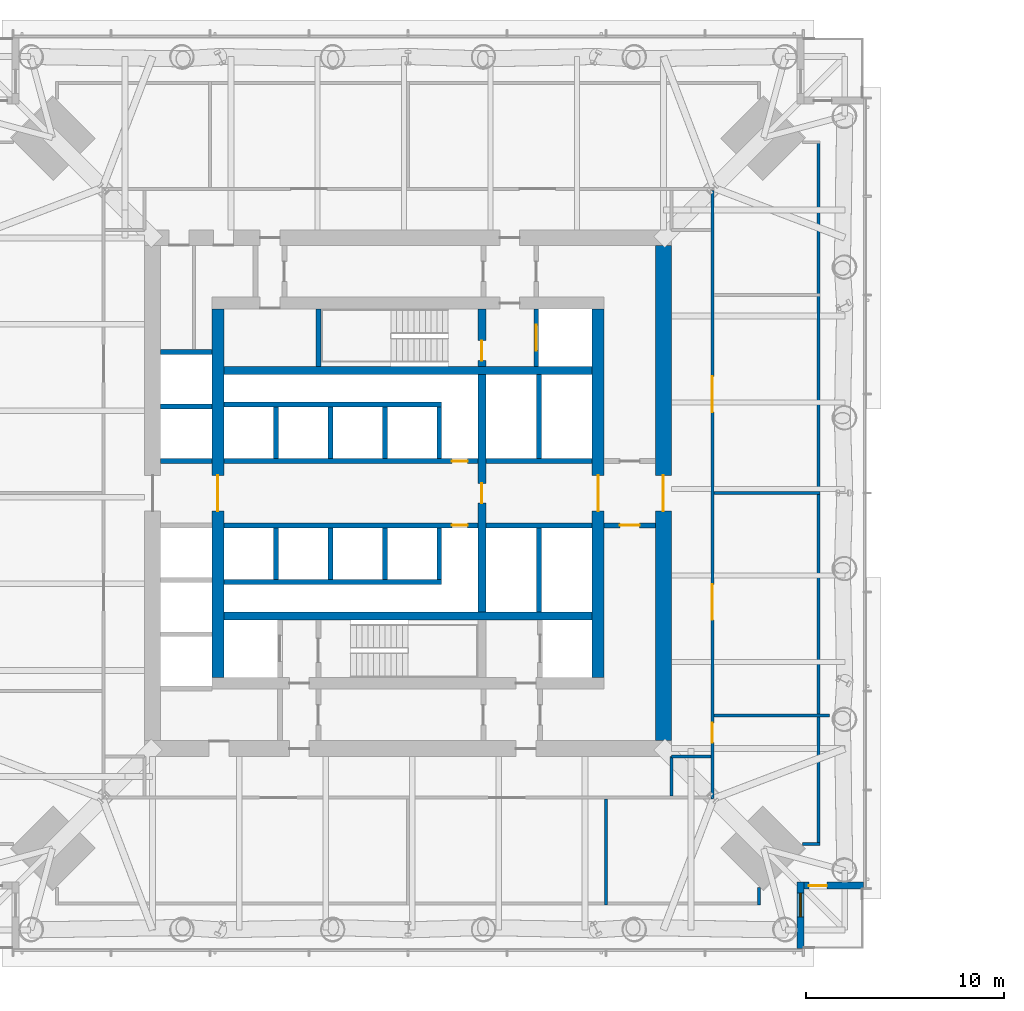
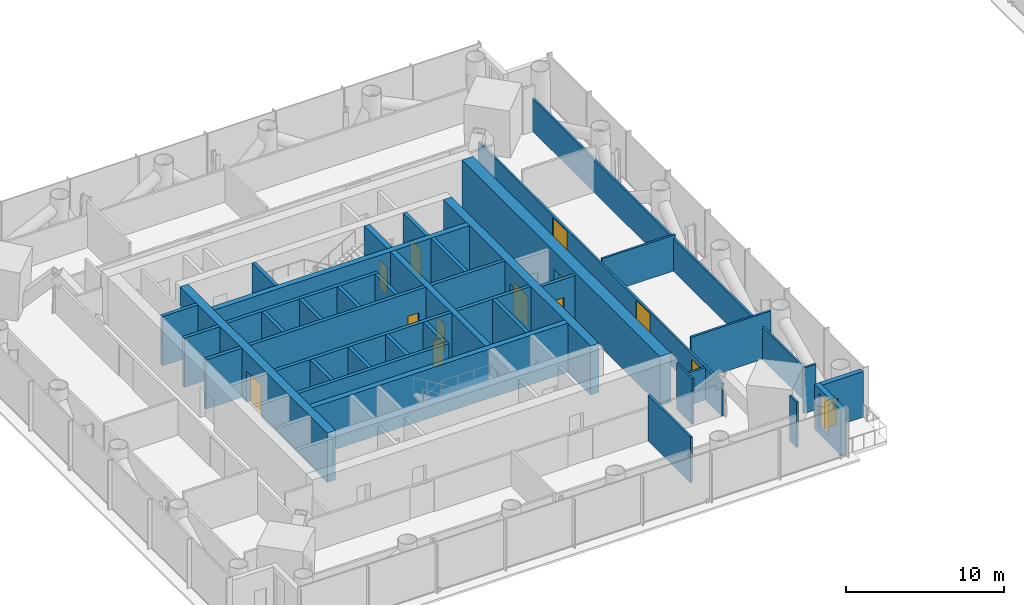
# One storey, part 11 of 28: 40 walls, 13 doors, 1 window, 14 openings.
"""IFC4 building model written with IfcOpenShell, lengths in metres."""

from ifc_helpers import new_model, si_unit, direction, frame, frame_2d, origin, place, context, subcontext, project, spatial, rectangle, extrude, material, layer, layer_set, type_object, element, fill, save


model = new_model("IFC4")

# Units and contexts
model_context = context("Model", 3, precision=1e-05, world=origin(), true_north=direction((0.0, 1.0)))
body_context = subcontext(model_context, "Body", "Model", "MODEL_VIEW")
ifc_project = project(units=[si_unit("LENGTHUNIT", "METRE"), si_unit("AREAUNIT", "SQUARE_METRE"), si_unit("VOLUMEUNIT", "CUBIC_METRE"), si_unit("PLANEANGLEUNIT", "RADIAN"), si_unit("MASSUNIT", "GRAM", prefix="KILO")], contexts=[model_context])

# Site, building, storey
site_placement = place(None, origin())
site = spatial("IfcSite", under=ifc_project, at=site_placement, CompositionType="ELEMENT")
building_placement = place(site_placement, origin())
building = spatial("IfcBuilding", under=site, at=building_placement, Name="Ostroluk Exchange", CompositionType="ELEMENT")
storey_placement = place(building_placement, frame((0.0, 0.0, 81.800048828125)))
storey = spatial("IfcBuildingStorey", under=building, at=storey_placement, Name="L20", CompositionType="ELEMENT", Elevation=81.800048828125)

# Walls
ifc_material_1 = material(Name="Concrete blockwork", Category="masonry")
ifc_layer_1 = layer(ifc_material_1, 0.14990234375)
ifc_layer_set_1 = layer_set([ifc_layer_1], Name="Blockwork plant room wall 150")
wall_type_1 = type_object("IfcWallType", Name="Blockwork plant room wall 150", PredefinedType="SOLIDWALL", material=ifc_layer_set_1)
wall_1_placement = place(storey_placement, frame((60.449951171875, 34.77490234375, 0.0), z_axis=(0.0, 0.0, 1.0), x_axis=(1.0, 0.0, 0.0)))
element("IfcWall", 1, at=wall_1_placement, inside=storey, type_object=wall_type_1, Name="Plant room wall", PredefinedType="SOLIDWALL", context=body_context, shape_type="SweptSolid", body=[
    extrude(rectangle(XDim=5.830078125, YDim=0.14990234375, at=frame_2d((2.9150390625, 0.0))), origin(), (0.0, 0.0, 1.0), 3.52001953125),
])
wall_2_placement = place(storey_placement, frame((60.449951171875, 46.0, 0.0), z_axis=(0.0, 0.0, 1.0), x_axis=(1.0, 0.0, 0.0)))
element("IfcWall", 2, at=wall_2_placement, inside=storey, type_object=wall_type_1, Name="Plant room wall", PredefinedType="SOLIDWALL", context=body_context, shape_type="SweptSolid", body=[
    extrude(rectangle(XDim=5.35009765625, YDim=0.14990234375, at=frame_2d((2.675048828125, 0.0))), origin(), (0.0, 0.0, 1.0), 2.758056640625),
])

# Wall, openings, doors
wall_3_placement = place(storey_placement, frame((60.375, 30.550048828125, 0.0), z_axis=(0.0, 0.0, 1.0), x_axis=(0.0, 1.0, 0.0)))
wall_3 = element("IfcWall", 3, at=wall_3_placement, inside=storey, type_object=wall_type_1, Name="Plant room wall", PredefinedType="SOLIDWALL", context=body_context, shape_type="SweptSolid", body=[
    extrude(rectangle(XDim=30.75, YDim=0.14990234375, at=frame_2d((15.375, 0.0))), origin(), (0.0, 0.0, 1.0), 2.511962890625),
])
opening_1_placement = place(wall_3_placement, frame((2.85009765625, 0.0, 0.0)))
opening_1 = element("IfcOpeningElement", 4, at=opening_1_placement, cuts=wall_3, Name="Opening FD60", PredefinedType="OPENING", context=body_context, shape_type="SweptSolid", body=[
    extrude(rectangle(XDim=1.0, YDim=2.10009765625, at=frame_2d((0.5, 1.050048828125))), frame((0.0, 0.0849609375, 0.0), z_axis=(0.0, -1.0, 0.0), x_axis=(1.0, 0.0, 0.0)), (0.0, 0.0, 1.0), 0.169921875),
])
opening_2_placement = place(wall_3_placement, frame((9.050048828125, 0.0, 0.0)))
opening_2 = element("IfcOpeningElement", 5, at=opening_2_placement, cuts=wall_3, Name="Opening D-05", PredefinedType="OPENING", context=body_context, shape_type="SweptSolid", body=[
    extrude(rectangle(XDim=1.800048828125, YDim=2.39990234375, at=frame_2d((0.89990234375, 1.199951171875))), frame((0.0, 0.0849609375, 0.0), z_axis=(0.0, -1.0, 0.0), x_axis=(1.0, 0.0, 0.0)), (0.0, 0.0, 1.0), 0.169921875),
])
opening_3_placement = place(wall_3_placement, frame((19.550048828125, 0.0, 0.0)))
opening_3 = element("IfcOpeningElement", 6, at=opening_3_placement, cuts=wall_3, Name="Opening D-05", PredefinedType="OPENING", context=body_context, shape_type="SweptSolid", body=[
    extrude(rectangle(XDim=1.800048828125, YDim=2.39990234375, at=frame_2d((0.89990234375, 1.199951171875))), frame((0.0, 0.0849609375, 0.0), z_axis=(0.0, -1.0, 0.0), x_axis=(1.0, 0.0, 0.0)), (0.0, 0.0, 1.0), 0.169921875),
])
ifc_material_2 = material(Name="Steel", Category="steel")
door_type_1 = type_object("IfcDoorType", Name="Fire door EI 60 1000 x 2100", OperationType="SINGLE_SWING_LEFT", PredefinedType="DOOR", material=ifc_material_2)
door_1_placement = place(opening_1_placement, origin())
door_1 = element("IfcDoor", 7, at=door_1_placement, inside=storey, type_object=door_type_1, Name="Maintenance lobby door", OperationType="SINGLE_SWING_LEFT", OverallHeight=2.10009765625, OverallWidth=1.0, PredefinedType="DOOR", context=body_context, shape_type="SweptSolid", body=[
    extrude(rectangle(XDim=1.0, YDim=2.10009765625, at=frame_2d((0.5, 1.050048828125))), frame((0.0, 0.02490234375, 0.0), z_axis=(0.0, -1.0, 0.0), x_axis=(1.0, 0.0, 0.0)), (0.0, 0.0, 1.0), 0.050048828125),
])
fill(opening_1, door_1)
ifc_material_3 = material(Name="Steel", Category="steel")
door_type_2 = type_object("IfcDoorType", Name="Plant room double door EI 60 1800 x 2400", OperationType="DOUBLE_DOOR_SINGLE_SWING", PredefinedType="DOOR", material=ifc_material_3)
door_2_placement = place(opening_2_placement, origin())
door_2 = element("IfcDoor", 8, at=door_2_placement, inside=storey, type_object=door_type_2, Name="AHU room door", OperationType="DOUBLE_DOOR_SINGLE_SWING", OverallHeight=2.39990234375, OverallWidth=1.800048828125, PredefinedType="DOOR", context=body_context, shape_type="SweptSolid", body=[
    extrude(rectangle(XDim=1.800048828125, YDim=2.39990234375, at=frame_2d((0.89990234375, 1.199951171875))), frame((0.0, 0.02490234375, 0.0), z_axis=(0.0, -1.0, 0.0), x_axis=(1.0, 0.0, 0.0)), (0.0, 0.0, 1.0), 0.050048828125),
])
fill(opening_2, door_2)
door_3_placement = place(opening_3_placement, origin())
door_3 = element("IfcDoor", 9, at=door_3_placement, inside=storey, type_object=door_type_2, Name="Smoke extract fan room door", OperationType="DOUBLE_DOOR_SINGLE_SWING", OverallHeight=2.39990234375, OverallWidth=1.800048828125, PredefinedType="DOOR", context=body_context, shape_type="SweptSolid", body=[
    extrude(rectangle(XDim=1.800048828125, YDim=2.39990234375, at=frame_2d((0.89990234375, 1.199951171875))), frame((0.0, 0.02490234375, 0.0), z_axis=(0.0, -1.0, 0.0), x_axis=(1.0, 0.0, 0.0)), (0.0, 0.0, 1.0), 0.050048828125),
])
fill(opening_3, door_3)

# Wall
wall_4_placement = place(storey_placement, frame((55.0, 30.550048828125, 0.0), z_axis=(0.0, 0.0, 1.0), x_axis=(0.0, -1.0, 0.0)))
element("IfcWall", 10, at=wall_4_placement, inside=storey, type_object=wall_type_1, Name="Plant room wall", PredefinedType="SOLIDWALL", context=body_context, shape_type="SweptSolid", body=[
    extrude(rectangle(XDim=5.35009765625, YDim=0.14990234375, at=frame_2d((2.675048828125, 0.0))), origin(), (0.0, 0.0, 1.0), 3.52001953125),
])

# Wall, opening, door
ifc_material_4 = material(Name="Concrete blockwork", Category="masonry")
ifc_layer_2 = layer(ifc_material_4, 0.25)
ifc_layer_set_2 = layer_set([ifc_layer_2], Name="Blockwork stair enclosure wall 250")
wall_type_2 = type_object("IfcWallType", Name="Blockwork stair enclosure wall 250", PredefinedType="SOLIDWALL", material=ifc_layer_set_2)
wall_5_placement = place(storey_placement, frame((54.89990234375, 44.375, 0.0), z_axis=(0.0, 0.0, 1.0), x_axis=(1.0, 0.0, 0.0)))
wall_5 = element("IfcWall", 11, at=wall_5_placement, inside=storey, type_object=wall_type_2, Name="Lift lobby enclosure wall", PredefinedType="SOLIDWALL", context=body_context, shape_type="SweptSolid", body=[
    extrude(rectangle(XDim=2.60009765625, YDim=0.25, at=frame_2d((1.300048828125, 0.0))), origin(), (0.0, 0.0, 1.0), 3.52001953125),
])
opening_4_placement = place(wall_5_placement, frame((0.800048828125, 0.0, 0.0)))
opening_4 = element("IfcOpeningElement", 12, at=opening_4_placement, cuts=wall_5, Name="Opening FD60", PredefinedType="OPENING", context=body_context, shape_type="SweptSolid", body=[
    extrude(rectangle(XDim=1.0, YDim=2.10009765625, at=frame_2d((0.5, 1.050048828125))), frame((0.0, 0.135009765625, 0.0), z_axis=(0.0, -1.0, 0.0), x_axis=(1.0, 0.0, 0.0)), (0.0, 0.0, 1.0), 0.27001953125),
])
door_4_placement = place(opening_4_placement, origin())
door_4 = element("IfcDoor", 13, at=door_4_placement, inside=storey, type_object=door_type_1, Name="Core link door", OperationType="SINGLE_SWING_LEFT", OverallHeight=2.10009765625, OverallWidth=1.0, PredefinedType="DOOR", context=body_context, shape_type="SweptSolid", body=[
    extrude(rectangle(XDim=1.0, YDim=2.10009765625, at=frame_2d((0.5, 1.050048828125))), frame((0.0, 0.02490234375, 0.0), z_axis=(0.0, -1.0, 0.0), x_axis=(1.0, 0.0, 0.0)), (0.0, 0.0, 1.0), 0.050048828125),
])
fill(opening_4, door_4)

# Walls
ifc_material_5 = material(Name="Concrete C50/60", Category="concrete")
ifc_layer_3 = layer(ifc_material_5, 0.39990234375)
ifc_layer_set_3 = layer_set([ifc_layer_3], Name="Core cross wall 400 C50/60")
wall_type_3 = type_object("IfcWallType", Name="Core cross wall 400 C50/60", PredefinedType="SHEAR", material=ifc_layer_set_3)
for number, where, z_axis, x_axis, name in (
    (14, (35.699951171875, 39.800048828125, 0.0), (0.0, 0.0, 1.0), (1.0, 0.0, 0.0), "T1 core wall XS"),
    (15, (35.699951171875, 52.199951171875, 0.0), (0.0, 0.0, 1.0), (1.0, 0.0, 0.0), "T1 core wall XN"),
):
    element("IfcWall", number, at=place(storey_placement, frame(where, z_axis=z_axis, x_axis=x_axis)), inside=storey, type_object=wall_type_3, Name=name, PredefinedType="SHEAR", context=body_context, shape_type="SweptSolid", body=[
        extrude(rectangle(XDim=18.60009765625, YDim=0.39990234375, at=frame_2d((9.300048828125, 0.0))), origin(), (0.0, 0.0, 1.0), 3.800048828125),
    ])

# Wall, opening, door
wall_6_placement = place(storey_placement, frame((48.72998046875, 40.0, 0.0), z_axis=(0.0, 0.0, 1.0), x_axis=(0.0, 1.0, 0.0)))
wall_6 = element("IfcWall", 16, at=wall_6_placement, inside=storey, type_object=wall_type_3, Name="T1 core wall YE2", PredefinedType="SHEAR", context=body_context, shape_type="SweptSolid", body=[
    extrude(rectangle(XDim=12.0, YDim=0.39990234375, at=frame_2d((6.0, 0.0))), origin(), (0.0, 0.0, 1.0), 3.800048828125),
])
opening_5_placement = place(wall_6_placement, frame((5.5, 0.0, 0.0)))
opening_5 = element("IfcOpeningElement", 17, at=opening_5_placement, cuts=wall_6, Name="Opening FD60", PredefinedType="OPENING", context=body_context, shape_type="SweptSolid", body=[
    extrude(rectangle(XDim=1.0, YDim=2.10009765625, at=frame_2d((0.5, 1.050048828125))), frame((0.0, 0.2099609375, 0.0), z_axis=(0.0, -1.0, 0.0), x_axis=(1.0, 0.0, 0.0)), (0.0, 0.0, 1.0), 0.419921875),
])
door_5_placement = place(opening_5_placement, origin())
door_5 = element("IfcDoor", 18, at=door_5_placement, inside=storey, type_object=door_type_1, Name="Core link door", OperationType="SINGLE_SWING_LEFT", OverallHeight=2.10009765625, OverallWidth=1.0, PredefinedType="DOOR", context=body_context, shape_type="SweptSolid", body=[
    extrude(rectangle(XDim=1.0, YDim=2.10009765625, at=frame_2d((0.5, 1.050048828125))), frame((0.0, 0.02490234375, 0.0), z_axis=(0.0, -1.0, 0.0), x_axis=(1.0, 0.0, 0.0)), (0.0, 0.0, 1.0), 0.050048828125),
])
fill(opening_5, door_5)

wall_7_placement = place(storey_placement, frame((48.72998046875, 52.39990234375, 0.0), z_axis=(0.0, 0.0, 1.0), x_axis=(0.0, 1.0, 0.0)))
wall_7 = element("IfcWall", 19, at=wall_7_placement, inside=storey, type_object=wall_type_3, Name="T1 core wall YE3", PredefinedType="SHEAR", context=body_context, shape_type="SweptSolid", body=[
    extrude(rectangle(XDim=2.900146484375, YDim=0.39990234375, at=frame_2d((1.4501953125, 0.0))), origin(), (0.0, 0.0, 1.0), 3.800048828125),
])
opening_6_placement = place(wall_7_placement, frame((0.300048828125, 0.0, 0.0)))
opening_6 = element("IfcOpeningElement", 20, at=opening_6_placement, cuts=wall_7, Name="Opening FD60", PredefinedType="OPENING", context=body_context, shape_type="SweptSolid", body=[
    extrude(rectangle(XDim=1.0, YDim=2.10009765625, at=frame_2d((0.5, 1.050048828125))), frame((0.0, 0.2099609375, 0.0), z_axis=(0.0, -1.0, 0.0), x_axis=(1.0, 0.0, 0.0)), (0.0, 0.0, 1.0), 0.419921875),
])
door_6_placement = place(opening_6_placement, origin())
door_6 = element("IfcDoor", 21, at=door_6_placement, inside=storey, type_object=door_type_1, Name="Stair T1-S2 door", OperationType="SINGLE_SWING_LEFT", OverallHeight=2.10009765625, OverallWidth=1.0, PredefinedType="DOOR", context=body_context, shape_type="SweptSolid", body=[
    extrude(rectangle(XDim=1.0, YDim=2.10009765625, at=frame_2d((0.5, 1.050048828125))), frame((0.0, 0.02490234375, 0.0), z_axis=(0.0, -1.0, 0.0), x_axis=(1.0, 0.0, 0.0)), (0.0, 0.0, 1.0), 0.050048828125),
])
fill(opening_6, door_6)

# Wall
ifc_material_6 = material(Name="Concrete C40/50", Category="concrete")
ifc_layer_4 = layer(ifc_material_6, 0.25)
ifc_layer_set_4 = layer_set([ifc_layer_4], Name="Core shaft wall 250")
wall_type_4 = type_object("IfcWallType", Name="Core shaft wall 250", PredefinedType="SHEAR", material=ifc_layer_set_4)
wall_8_placement = place(storey_placement, frame((40.47509765625, 52.39990234375, 0.0), z_axis=(0.0, 0.0, 1.0), x_axis=(0.0, 1.0, 0.0)))
element("IfcWall", 22, at=wall_8_placement, inside=storey, type_object=wall_type_4, Name="Stair shaft wall", PredefinedType="SHEAR", context=body_context, shape_type="SweptSolid", body=[
    extrude(rectangle(XDim=2.900146484375, YDim=0.25, at=frame_2d((1.4501953125, 0.0))), origin(), (0.0, 0.0, 1.0), 3.800048828125),
])

# Wall, opening, door
wall_9_placement = place(storey_placement, frame((51.47509765625, 52.39990234375, 0.0), z_axis=(0.0, 0.0, 1.0), x_axis=(0.0, 1.0, 0.0)))
wall_9 = element("IfcWall", 23, at=wall_9_placement, inside=storey, type_object=wall_type_4, Name="Firefighting lift shaft wall", PredefinedType="SHEAR", context=body_context, shape_type="SweptSolid", body=[
    extrude(rectangle(XDim=2.900146484375, YDim=0.25, at=frame_2d((1.4501953125, 0.0))), origin(), (0.0, 0.0, 1.0), 3.800048828125),
])
opening_7_placement = place(wall_9_placement, frame((0.800048828125, 0.0, 0.0)))
opening_7 = element("IfcOpeningElement", 24, at=opening_7_placement, cuts=wall_9, Name="Opening LD2", PredefinedType="OPENING", context=body_context, shape_type="SweptSolid", body=[
    extrude(rectangle(XDim=1.300048828125, YDim=2.199951171875, at=frame_2d((0.64990234375, 1.10009765625))), frame((0.0, 0.135009765625, 0.0), z_axis=(0.0, -1.0, 0.0), x_axis=(1.0, 0.0, 0.0)), (0.0, 0.0, 1.0), 0.27001953125),
])
ifc_material_7 = material(Name="Stainless steel", Category="steel")
door_type_3 = type_object("IfcDoorType", Name="Lift landing door E 60 1300 x 2200", OperationType="DOUBLE_DOOR_SLIDING", PredefinedType="DOOR", material=ifc_material_7)
door_7_placement = place(opening_7_placement, origin())
door_7 = element("IfcDoor", 25, at=door_7_placement, inside=storey, type_object=door_type_3, Name="Lift FL2 landing door", OperationType="DOUBLE_DOOR_SLIDING", OverallHeight=2.199951171875, OverallWidth=1.300048828125, PredefinedType="DOOR", context=body_context, shape_type="SweptSolid", body=[
    extrude(rectangle(XDim=1.300048828125, YDim=2.199951171875, at=frame_2d((0.64990234375, 1.10009765625))), frame((0.0, 0.02490234375, 0.0), z_axis=(0.0, -1.0, 0.0), x_axis=(1.0, 0.0, 0.0)), (0.0, 0.0, 1.0), 0.050048828125),
])
fill(opening_7, door_7)

# Walls
for number, where, z_axis, x_axis, name in (
    (26, (38.324951171875, 47.75, 0.0), (0.0, 0.0, 1.0), (0.0, 1.0, 0.0), "Lift shaft wall"),
    (27, (41.074951171875, 47.75, 0.0), (0.0, 0.0, 1.0), (0.0, 1.0, 0.0), "Lift shaft wall"),
    (28, (43.824951171875, 47.75, 0.0), (0.0, 0.0, 1.0), (0.0, 1.0, 0.0), "Lift shaft wall"),
    (29, (46.574951171875, 47.75, 0.0), (0.0, 0.0, 1.0), (0.0, 1.0, 0.0), "Lift shaft wall"),
):
    element("IfcWall", number, at=place(storey_placement, frame(where, z_axis=z_axis, x_axis=x_axis)), inside=storey, type_object=wall_type_4, Name=name, PredefinedType="SHEAR", context=body_context, shape_type="SweptSolid", body=[
        extrude(rectangle(XDim=2.60009765625, YDim=0.25, at=frame_2d((1.300048828125, 0.0))), origin(), (0.0, 0.0, 1.0), 3.800048828125),
    ])
wall_10_placement = place(storey_placement, frame((35.699951171875, 50.47509765625, 0.0), z_axis=(0.0, 0.0, 1.0), x_axis=(1.0, 0.0, 0.0)))
element("IfcWall", 30, at=wall_10_placement, inside=storey, type_object=wall_type_4, Name="Lift shaft wall", PredefinedType="SHEAR", context=body_context, shape_type="SweptSolid", body=[
    extrude(rectangle(XDim=11.0, YDim=0.25, at=frame_2d((5.5, 0.0))), origin(), (0.0, 0.0, 1.0), 3.800048828125),
])

# Wall, opening, door
wall_11_placement = place(storey_placement, frame((35.699951171875, 47.625, 0.0), z_axis=(0.0, 0.0, 1.0), x_axis=(1.0, 0.0, 0.0)))
wall_11 = element("IfcWall", 31, at=wall_11_placement, inside=storey, type_object=wall_type_4, Name="Lift shaft front wall", PredefinedType="SHEAR", context=body_context, shape_type="SweptSolid", body=[
    extrude(rectangle(XDim=12.830078125, YDim=0.25, at=frame_2d((6.4150390625, 0.0))), origin(), (0.0, 0.0, 1.0), 3.800048828125),
])
opening_8_placement = place(wall_11_placement, frame((11.514892578125, 0.0, 0.0)))
opening_8 = element("IfcOpeningElement", 32, at=opening_8_placement, cuts=wall_11, Name="Opening RD60", PredefinedType="OPENING", context=body_context, shape_type="SweptSolid", body=[
    extrude(rectangle(XDim=0.800048828125, YDim=2.0, at=frame_2d((0.39990234375, 1.0))), frame((0.0, 0.135009765625, 0.0), z_axis=(0.0, -1.0, 0.0), x_axis=(1.0, 0.0, 0.0)), (0.0, 0.0, 1.0), 0.27001953125),
])
ifc_material_8 = material(Name="Steel", Category="steel")
door_type_4 = type_object("IfcDoorType", Name="Riser access door EI 60 800 x 2000", OperationType="SINGLE_SWING_LEFT", PredefinedType="DOOR", material=ifc_material_8)
door_8_placement = place(opening_8_placement, origin())
door_8 = element("IfcDoor", 33, at=door_8_placement, inside=storey, type_object=door_type_4, Name="Riser access door", OperationType="SINGLE_SWING_RIGHT", OverallHeight=2.0, OverallWidth=0.800048828125, PredefinedType="DOOR", context=body_context, shape_type="SweptSolid", body=[
    extrude(rectangle(XDim=0.800048828125, YDim=2.0, at=frame_2d((0.39990234375, 1.0))), frame((0.0, 0.02490234375, 0.0), z_axis=(0.0, -1.0, 0.0), x_axis=(1.0, 0.0, 0.0)), (0.0, 0.0, 1.0), 0.050048828125),
])
fill(opening_8, door_8)

# Walls
for number, where, z_axis, x_axis, name in (
    (34, (38.324951171875, 44.25, 0.0), (0.0, 0.0, 1.0), (0.0, -1.0, 0.0), "Lift shaft wall"),
    (35, (41.074951171875, 44.25, 0.0), (0.0, 0.0, 1.0), (0.0, -1.0, 0.0), "Lift shaft wall"),
    (36, (43.824951171875, 44.25, 0.0), (0.0, 0.0, 1.0), (0.0, -1.0, 0.0), "Lift shaft wall"),
    (37, (46.574951171875, 44.25, 0.0), (0.0, 0.0, 1.0), (0.0, -1.0, 0.0), "Lift shaft wall"),
):
    element("IfcWall", number, at=place(storey_placement, frame(where, z_axis=z_axis, x_axis=x_axis)), inside=storey, type_object=wall_type_4, Name=name, PredefinedType="SHEAR", context=body_context, shape_type="SweptSolid", body=[
        extrude(rectangle(XDim=2.60009765625, YDim=0.25, at=frame_2d((1.300048828125, 0.0))), origin(), (0.0, 0.0, 1.0), 3.800048828125),
    ])
wall_12_placement = place(storey_placement, frame((35.699951171875, 41.52490234375, 0.0), z_axis=(0.0, 0.0, 1.0), x_axis=(1.0, 0.0, 0.0)))
element("IfcWall", 38, at=wall_12_placement, inside=storey, type_object=wall_type_4, Name="Lift shaft wall", PredefinedType="SHEAR", context=body_context, shape_type="SweptSolid", body=[
    extrude(rectangle(XDim=11.0, YDim=0.25, at=frame_2d((5.5, 0.0))), origin(), (0.0, 0.0, 1.0), 3.800048828125),
])

# Wall, opening, door
wall_13_placement = place(storey_placement, frame((35.699951171875, 44.375, 0.0), z_axis=(0.0, 0.0, 1.0), x_axis=(1.0, 0.0, 0.0)))
wall_13 = element("IfcWall", 39, at=wall_13_placement, inside=storey, type_object=wall_type_4, Name="Lift shaft front wall", PredefinedType="SHEAR", context=body_context, shape_type="SweptSolid", body=[
    extrude(rectangle(XDim=12.830078125, YDim=0.25, at=frame_2d((6.4150390625, 0.0))), origin(), (0.0, 0.0, 1.0), 3.800048828125),
])
opening_9_placement = place(wall_13_placement, frame((11.514892578125, 0.0, 0.0)))
opening_9 = element("IfcOpeningElement", 40, at=opening_9_placement, cuts=wall_13, Name="Opening RD60", PredefinedType="OPENING", context=body_context, shape_type="SweptSolid", body=[
    extrude(rectangle(XDim=0.800048828125, YDim=2.0, at=frame_2d((0.39990234375, 1.0))), frame((0.0, 0.135009765625, 0.0), z_axis=(0.0, -1.0, 0.0), x_axis=(1.0, 0.0, 0.0)), (0.0, 0.0, 1.0), 0.27001953125),
])
door_9_placement = place(opening_9_placement, origin())
door_9 = element("IfcDoor", 41, at=door_9_placement, inside=storey, type_object=door_type_4, Name="Riser access door", OperationType="SINGLE_SWING_RIGHT", OverallHeight=2.0, OverallWidth=0.800048828125, PredefinedType="DOOR", context=body_context, shape_type="SweptSolid", body=[
    extrude(rectangle(XDim=0.800048828125, YDim=2.0, at=frame_2d((0.39990234375, 1.0))), frame((0.0, 0.02490234375, 0.0), z_axis=(0.0, -1.0, 0.0), x_axis=(1.0, 0.0, 0.0)), (0.0, 0.0, 1.0), 0.050048828125),
])
fill(opening_9, door_9)

# Walls
wall_14_placement = place(storey_placement, frame((51.614990234375, 47.75, 0.0), z_axis=(0.0, 0.0, 1.0), x_axis=(0.0, 1.0, 0.0)))
element("IfcWall", 42, at=wall_14_placement, inside=storey, type_object=wall_type_4, Name="Lift shaft wall", PredefinedType="SHEAR", context=body_context, shape_type="SweptSolid", body=[
    extrude(rectangle(XDim=4.25, YDim=0.25, at=frame_2d((2.125, 0.0))), origin(), (0.0, 0.0, 1.0), 3.800048828125),
])
wall_15_placement = place(storey_placement, frame((48.929931640625, 47.625, 0.0), z_axis=(0.0, 0.0, 1.0), x_axis=(1.0, 0.0, 0.0)))
element("IfcWall", 43, at=wall_15_placement, inside=storey, type_object=wall_type_4, Name="Lift shaft front wall", PredefinedType="SHEAR", context=body_context, shape_type="SweptSolid", body=[
    extrude(rectangle(XDim=5.3701171875, YDim=0.25, at=frame_2d((2.68505859375, 0.0))), origin(), (0.0, 0.0, 1.0), 3.800048828125),
])
wall_16_placement = place(storey_placement, frame((51.614990234375, 44.25, 0.0), z_axis=(0.0, 0.0, 1.0), x_axis=(0.0, -1.0, 0.0)))
element("IfcWall", 44, at=wall_16_placement, inside=storey, type_object=wall_type_4, Name="Lift shaft wall", PredefinedType="SHEAR", context=body_context, shape_type="SweptSolid", body=[
    extrude(rectangle(XDim=4.25, YDim=0.25, at=frame_2d((2.125, 0.0))), origin(), (0.0, 0.0, 1.0), 3.800048828125),
])
wall_17_placement = place(storey_placement, frame((48.929931640625, 44.375, 0.0), z_axis=(0.0, 0.0, 1.0), x_axis=(1.0, 0.0, 0.0)))
element("IfcWall", 45, at=wall_17_placement, inside=storey, type_object=wall_type_4, Name="Lift shaft front wall", PredefinedType="SHEAR", context=body_context, shape_type="SweptSolid", body=[
    extrude(rectangle(XDim=5.3701171875, YDim=0.25, at=frame_2d((2.68505859375, 0.0))), origin(), (0.0, 0.0, 1.0), 3.800048828125),
])
for number, where, z_axis, x_axis, name in (
    (46, (32.5, 47.625, 0.0), (0.0, 0.0, 1.0), (1.0, 0.0, 0.0), "Lift shaft wall"),
    (47, (32.5, 50.375, 0.0), (0.0, 0.0, 1.0), (1.0, 0.0, 0.0), "Lift shaft wall"),
    (48, (32.5, 53.125, 0.0), (0.0, 0.0, 1.0), (1.0, 0.0, 0.0), "Lift shaft wall"),
):
    element("IfcWall", number, at=place(storey_placement, frame(where, z_axis=z_axis, x_axis=x_axis)), inside=storey, type_object=wall_type_4, Name=name, PredefinedType="SHEAR", context=body_context, shape_type="SweptSolid", body=[
        extrude(rectangle(XDim=2.60009765625, YDim=0.25, at=frame_2d((1.300048828125, 0.0))), origin(), (0.0, 0.0, 1.0), 3.800048828125),
    ])

# Wall, opening, door
ifc_material_9 = material(Name="Concrete C50/60", Category="concrete")
ifc_layer_5 = layer(ifc_material_9, 0.60009765625)
ifc_layer_set_5 = layer_set([ifc_layer_5], Name="Core wall 600 C50/60")
wall_type_5 = type_object("IfcWallType", Name="Core wall 600 C50/60", PredefinedType="SHEAR", material=ifc_layer_set_5)
wall_18_placement = place(storey_placement, frame((35.39990234375, 36.699951171875, 0.0), z_axis=(0.0, 0.0, 1.0), x_axis=(0.0, 1.0, 0.0)))
wall_18 = element("IfcWall", 49, at=wall_18_placement, inside=storey, type_object=wall_type_5, Name="T1 core wall W", PredefinedType="SHEAR", context=body_context, shape_type="SweptSolid", body=[
    extrude(rectangle(XDim=18.60009765625, YDim=0.60009765625, at=frame_2d((9.300048828125, 0.0))), origin(), (0.0, 0.0, 1.0), 3.800048828125),
])
opening_10_placement = place(wall_18_placement, frame((8.39990234375, 0.0, 0.0)))
opening_10 = element("IfcOpeningElement", 50, at=opening_10_placement, cuts=wall_18, Name="Opening FD30D", PredefinedType="OPENING", context=body_context, shape_type="SweptSolid", body=[
    extrude(rectangle(XDim=1.800048828125, YDim=2.39990234375, at=frame_2d((0.89990234375, 1.199951171875))), frame((0.0, 0.31005859375, 0.0), z_axis=(0.0, -1.0, 0.0), x_axis=(1.0, 0.0, 0.0)), (0.0, 0.0, 1.0), 0.6201171875),
])
ifc_material_10 = material(Name="Timber", Category="wood")
door_type_5 = type_object("IfcDoorType", Name="Lobby double door EI 30 1800 x 2400", OperationType="DOUBLE_DOOR_SINGLE_SWING", PredefinedType="DOOR", material=ifc_material_10)
door_10_placement = place(opening_10_placement, origin())
door_10 = element("IfcDoor", 51, at=door_10_placement, inside=storey, type_object=door_type_5, Name="Lift lobby doors", OperationType="DOUBLE_DOOR_SINGLE_SWING", OverallHeight=2.39990234375, OverallWidth=1.800048828125, PredefinedType="DOOR", context=body_context, shape_type="SweptSolid", body=[
    extrude(rectangle(XDim=1.800048828125, YDim=2.39990234375, at=frame_2d((0.89990234375, 1.199951171875))), frame((0.0, 0.02490234375, 0.0), z_axis=(0.0, -1.0, 0.0), x_axis=(1.0, 0.0, 0.0)), (0.0, 0.0, 1.0), 0.050048828125),
])
fill(opening_10, door_10)

wall_19_placement = place(storey_placement, frame((54.60009765625, 36.699951171875, 0.0), z_axis=(0.0, 0.0, 1.0), x_axis=(0.0, 1.0, 0.0)))
wall_19 = element("IfcWall", 52, at=wall_19_placement, inside=storey, type_object=wall_type_5, Name="T1 core wall E", PredefinedType="SHEAR", context=body_context, shape_type="SweptSolid", body=[
    extrude(rectangle(XDim=18.60009765625, YDim=0.60009765625, at=frame_2d((9.300048828125, 0.0))), origin(), (0.0, 0.0, 1.0), 3.800048828125),
])
opening_11_placement = place(wall_19_placement, frame((8.39990234375, 0.0, 0.0)))
opening_11 = element("IfcOpeningElement", 53, at=opening_11_placement, cuts=wall_19, Name="Opening FD30D", PredefinedType="OPENING", context=body_context, shape_type="SweptSolid", body=[
    extrude(rectangle(XDim=1.800048828125, YDim=2.39990234375, at=frame_2d((0.89990234375, 1.199951171875))), frame((0.0, 0.31005859375, 0.0), z_axis=(0.0, -1.0, 0.0), x_axis=(1.0, 0.0, 0.0)), (0.0, 0.0, 1.0), 0.6201171875),
])
door_11_placement = place(opening_11_placement, origin())
door_11 = element("IfcDoor", 54, at=door_11_placement, inside=storey, type_object=door_type_5, Name="Lift lobby doors", OperationType="DOUBLE_DOOR_SINGLE_SWING", OverallHeight=2.39990234375, OverallWidth=1.800048828125, PredefinedType="DOOR", context=body_context, shape_type="SweptSolid", body=[
    extrude(rectangle(XDim=1.800048828125, YDim=2.39990234375, at=frame_2d((0.89990234375, 1.199951171875))), frame((0.0, 0.02490234375, 0.0), z_axis=(0.0, -1.0, 0.0), x_axis=(1.0, 0.0, 0.0)), (0.0, 0.0, 1.0), 0.050048828125),
])
fill(opening_11, door_11)

ifc_material_11 = material(Name="Concrete C50/60", Category="concrete")
ifc_layer_6 = layer(ifc_material_11, 0.800048828125)
ifc_layer_set_6 = layer_set([ifc_layer_6], Name="Core wall 800 C50/60")
wall_type_6 = type_object("IfcWallType", Name="Core wall 800 C50/60", PredefinedType="SHEAR", material=ifc_layer_set_6)
wall_20_placement = place(storey_placement, frame((57.89990234375, 33.5, 0.0), z_axis=(0.0, 0.0, 1.0), x_axis=(0.0, 1.0, 0.0)))
wall_20 = element("IfcWall", 55, at=wall_20_placement, inside=storey, type_object=wall_type_6, Name="T1 core wall RE", PredefinedType="SHEAR", context=body_context, shape_type="SweptSolid", body=[
    extrude(rectangle(XDim=25.0, YDim=0.800048828125, at=frame_2d((12.5, 0.0))), origin(), (0.0, 0.0, 1.0), 3.800048828125),
])
opening_12_placement = place(wall_20_placement, frame((11.60009765625, 0.0, 0.0)))
opening_12 = element("IfcOpeningElement", 56, at=opening_12_placement, cuts=wall_20, Name="Opening FD30D", PredefinedType="OPENING", context=body_context, shape_type="SweptSolid", body=[
    extrude(rectangle(XDim=1.800048828125, YDim=2.39990234375, at=frame_2d((0.89990234375, 1.199951171875))), frame((0.0, 0.409912109375, 0.0), z_axis=(0.0, -1.0, 0.0), x_axis=(1.0, 0.0, 0.0)), (0.0, 0.0, 1.0), 0.820068359375),
])
door_12_placement = place(opening_12_placement, origin())
door_12 = element("IfcDoor", 57, at=door_12_placement, inside=storey, type_object=door_type_5, Name="Lift lobby doors", OperationType="DOUBLE_DOOR_SINGLE_SWING", OverallHeight=2.39990234375, OverallWidth=1.800048828125, PredefinedType="DOOR", context=body_context, shape_type="SweptSolid", body=[
    extrude(rectangle(XDim=1.800048828125, YDim=2.39990234375, at=frame_2d((0.89990234375, 1.199951171875))), frame((0.0, 0.02490234375, 0.0), z_axis=(0.0, -1.0, 0.0), x_axis=(1.0, 0.0, 0.0)), (0.0, 0.0, 1.0), 0.050048828125),
])
fill(opening_12, door_12)

# Wall, opening, window
ifc_material_12 = material(Name="Limestone", Category="masonry")
ifc_layer_7 = layer(ifc_material_12, 0.35009765625)
ifc_layer_set_7 = layer_set([ifc_layer_7], Name="Limestone facade wall 350")
wall_type_7 = type_object("IfcWallType", Name="Limestone facade wall 350", PredefinedType="SOLIDWALL", material=ifc_layer_set_7)
wall_21_placement = place(storey_placement, frame((64.824951171875, 23.0, 0.0), z_axis=(0.0, 0.0, 1.0), x_axis=(0.0, 1.0, 0.0)))
wall_21 = element("IfcWall", 58, at=wall_21_placement, inside=storey, type_object=wall_type_7, Name="Office tower SE corner wall L20 a", PredefinedType="SOLIDWALL", context=body_context, shape_type="SweptSolid", body=[
    extrude(rectangle(XDim=3.35009765625, YDim=0.35009765625, at=frame_2d((1.675048828125, 0.0))), origin(), (0.0, 0.0, 1.0), 3.52001953125),
])
opening_13_placement = place(wall_21_placement, frame((1.60009765625, 0.0, 0.60009765625)))
opening_13 = element("IfcOpeningElement", 59, at=opening_13_placement, cuts=wall_21, Name="Opening WN-LV1", PredefinedType="OPENING", context=body_context, shape_type="SweptSolid", body=[
    extrude(rectangle(XDim=1.199951171875, YDim=2.550048828125, at=frame_2d((0.60009765625, 1.27490234375))), frame((0.0, 0.18505859375, 0.0), z_axis=(0.0, -1.0, 0.0), x_axis=(1.0, 0.0, 0.0)), (0.0, 0.0, 1.0), 0.3701171875),
])
ifc_material_13 = material(Name="Aluminium louvre", Category="aluminium")
window_type = type_object("IfcWindowType", Name="Lancet louvre 1200 x 2550", PartitioningType="SINGLE_PANEL", PredefinedType="USERDEFINED", material=ifc_material_13)
window_placement = place(opening_13_placement, origin())
window = element("IfcWindow", 60, at=window_placement, inside=storey, type_object=window_type, Name="Office tower SE plant louvre L20", ObjectType="LOUVRE", OverallHeight=2.550048828125, OverallWidth=1.199951171875, PartitioningType="SINGLE_PANEL", PredefinedType="USERDEFINED", context=body_context, shape_type="SweptSolid", body=[
    extrude(rectangle(XDim=1.199951171875, YDim=2.550048828125, at=frame_2d((0.60009765625, 1.27490234375))), frame((0.0, 0.030029296875, 0.0), z_axis=(0.0, -1.0, 0.0), x_axis=(1.0, 0.0, 0.0)), (0.0, 0.0, 1.0), 0.06005859375),
])
fill(opening_13, window)

# Wall, opening, door
wall_22_placement = place(storey_placement, frame((65.0, 26.175048828125, 0.0), z_axis=(0.0, 0.0, 1.0), x_axis=(1.0, 0.0, 0.0)))
wall_22 = element("IfcWall", 61, at=wall_22_placement, inside=storey, type_object=wall_type_7, Name="Office tower SE corner wall L20 b", PredefinedType="SOLIDWALL", context=body_context, shape_type="SweptSolid", body=[
    extrude(rectangle(XDim=3.0, YDim=0.35009765625, at=frame_2d((1.5, 0.0))), origin(), (0.0, 0.0, 1.0), 3.52001953125),
])
opening_14_placement = place(wall_22_placement, frame((0.25, 0.0, 0.0)))
opening_14 = element("IfcOpeningElement", 62, at=opening_14_placement, cuts=wall_22, Name="Opening D-M1", PredefinedType="OPENING", context=body_context, shape_type="SweptSolid", body=[
    extrude(rectangle(XDim=0.89990234375, YDim=2.10009765625, at=frame_2d((0.449951171875, 1.050048828125))), frame((0.0, 0.18505859375, 0.0), z_axis=(0.0, -1.0, 0.0), x_axis=(1.0, 0.0, 0.0)), (0.0, 0.0, 1.0), 0.3701171875),
])
ifc_material_14 = material(Name="Steel door", Category="steel")
door_type_6 = type_object("IfcDoorType", Name="Maintenance access door 900 x 2100", OperationType="SINGLE_SWING_LEFT", PredefinedType="DOOR", material=ifc_material_14)
door_13_placement = place(opening_14_placement, origin())
door_13 = element("IfcDoor", 63, at=door_13_placement, inside=storey, type_object=door_type_6, Name="Maintenance access door T1 L20 SE", OperationType="SINGLE_SWING_LEFT", OverallHeight=2.10009765625, OverallWidth=0.89990234375, PredefinedType="DOOR", context=body_context, shape_type="SweptSolid", body=[
    extrude(rectangle(XDim=0.89990234375, YDim=2.10009765625, at=frame_2d((0.449951171875, 1.050048828125))), frame((0.0, 0.02490234375, 0.0), z_axis=(0.0, -1.0, 0.0), x_axis=(1.0, 0.0, 0.0)), (0.0, 0.0, 1.0), 0.050048828125),
])
fill(opening_14, door_13)

# Walls
ifc_material_15 = material(Name="Gypsum plasterboard partition", Category="gypsum")
ifc_layer_8 = layer(ifc_material_15, 0.14990234375)
ifc_layer_set_8 = layer_set([ifc_layer_8], Name="Plasterboard partition 150")
wall_type_8 = type_object("IfcWallType", Name="Plasterboard partition 150", PredefinedType="PARTITIONING", material=ifc_layer_set_8)
wall_23_placement = place(storey_placement, frame((58.300048828125, 32.699951171875, 0.0), z_axis=(0.0, 0.0, 1.0), x_axis=(1.0, 0.0, 0.0)))
element("IfcWall", 64, at=wall_23_placement, inside=storey, type_object=wall_type_8, Name="Partition", PredefinedType="PARTITIONING", context=body_context, shape_type="SweptSolid", body=[
    extrude(rectangle(XDim=2.0, YDim=0.14990234375, at=frame_2d((1.0, 0.0))), origin(), (0.0, 0.0, 1.0), 2.511962890625),
])
wall_24_placement = place(storey_placement, frame((58.300048828125, 32.699951171875, 0.0), z_axis=(0.0, 0.0, 1.0), x_axis=(0.0, -1.0, 0.0)))
element("IfcWall", 65, at=wall_24_placement, inside=storey, type_object=wall_type_8, Name="Partition", PredefinedType="PARTITIONING", context=body_context, shape_type="SweptSolid", body=[
    extrude(rectangle(XDim=2.0, YDim=0.14990234375, at=frame_2d((1.0, 0.0))), origin(), (0.0, 0.0, 1.0), 3.52001953125),
])
wall_25_placement = place(storey_placement, frame((65.72509765625, 63.800048828125, 0.0), z_axis=(0.0, 0.0, 1.0), x_axis=(0.0, -1.0, 0.0)))
element("IfcWall", 66, at=wall_25_placement, inside=storey, type_object=wall_type_8, Name="Truss zone partition", PredefinedType="PARTITIONING", context=body_context, shape_type="SweptSolid", body=[
    extrude(rectangle(XDim=35.60009765625, YDim=0.14990234375, at=frame_2d((17.800048828125, 0.0))), origin(), (0.0, 0.0, 1.0), 2.511962890625),
])
for number, where, z_axis, x_axis, name in (
    (67, (65.800048828125, 28.27490234375, 0.0), (0.0, 0.0, 1.0), (-1.0, 0.0, 0.0), "Truss zone partition"),
    (68, (62.72509765625, 26.07861328125, 0.0), (0.0, 0.0, 1.0), (0.0, -1.0, 0.0), "Truss zone partition"),
):
    element("IfcWall", number, at=place(storey_placement, frame(where, z_axis=z_axis, x_axis=x_axis)), inside=storey, type_object=wall_type_8, Name=name, PredefinedType="PARTITIONING", context=body_context, shape_type="SweptSolid", body=[
        extrude(rectangle(XDim=0.878662109375, YDim=0.14990234375, at=frame_2d((0.439453125, 0.0))), origin(), (0.0, 0.0, 1.0), 3.52001953125),
    ])

save(model, "model.ifc")
